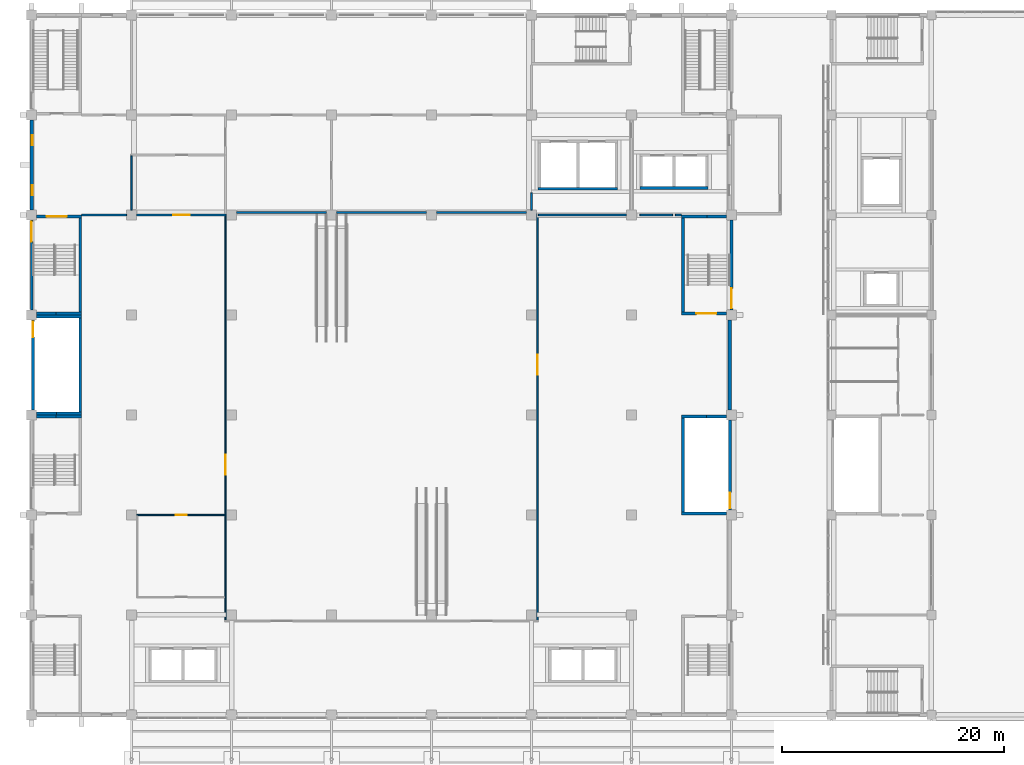
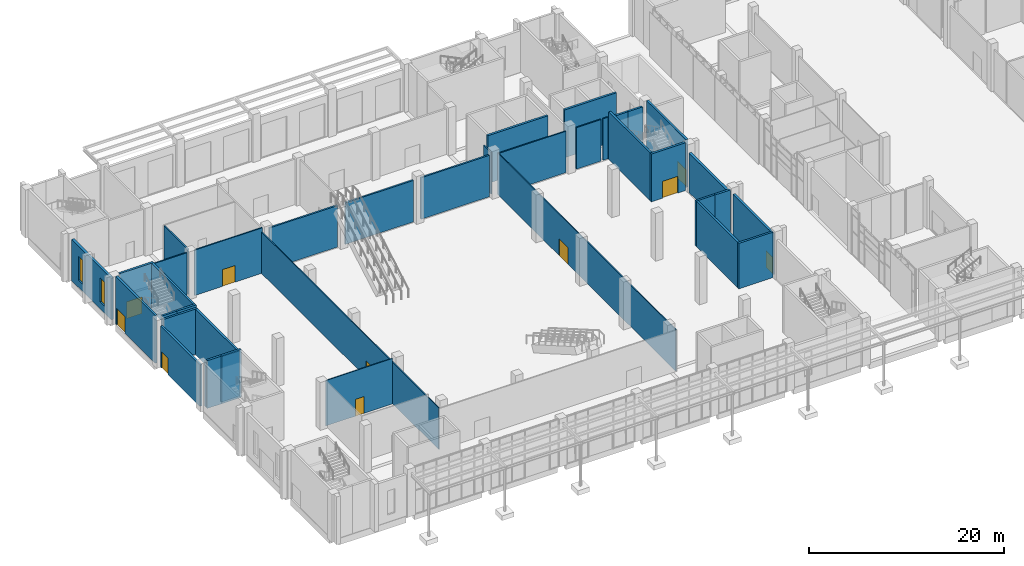
# One storey, part 53 of 86: 39 walls, 10 doors, 2 windows, 12 openings.
"""IFC4 building model written with IfcOpenShell, lengths in metres."""

from ifc_helpers import new_model, si_unit, direction, frame, frame_2d, origin, place, context, subcontext, project, spatial, rectangle, extrude, material, layer, layer_set, type_object, element, fill, save


model = new_model("IFC4")

# Units and contexts
model_context = context("Model", 3, precision=1e-05, world=origin(), true_north=direction((0.0, 1.0)))
body_context = subcontext(model_context, "Body", "Model", "MODEL_VIEW")
ifc_project = project(units=[si_unit("LENGTHUNIT", "METRE"), si_unit("AREAUNIT", "SQUARE_METRE"), si_unit("VOLUMEUNIT", "CUBIC_METRE"), si_unit("PLANEANGLEUNIT", "RADIAN"), si_unit("MASSUNIT", "GRAM", prefix="KILO")], contexts=[model_context])

# Site, building, storey
site_placement = place(None, origin())
site = spatial("IfcSite", under=ifc_project, at=site_placement, CompositionType="ELEMENT")
building_placement = place(site_placement, origin())
building = spatial("IfcBuilding", under=site, at=building_placement, Name="Guidao Yard Department Store", CompositionType="ELEMENT")
storey_placement = place(building_placement, origin())
storey = spatial("IfcBuildingStorey", under=building, at=storey_placement, Name="L00", CompositionType="ELEMENT", Elevation=0.0)

# Walls
ifc_material_1 = material(Name="Concrete block MU10", Category="concrete")
ifc_layer_1 = layer(ifc_material_1, 0.199951171875)
ifc_layer_set_1 = layer_set([ifc_layer_1], Name="Fire Wall P3 200 mm blockwork EI 120")
wall_type_1 = type_object("IfcWallType", Name="Fire Wall P3 200 mm blockwork EI 120", PredefinedType="PARTITIONING", material=ifc_layer_set_1)
for number, where, z_axis, x_axis, name in (
    (1, (18.449951171875, 90.22509765625, 0.0), (0.0, 0.0, 1.0), (1.0, 0.0, 0.0), "Wall W-HL00-013"),
    (2, (27.449951171875, 90.22509765625, 0.0), (0.0, 0.0, 1.0), (1.0, 0.0, 0.0), "Wall W-HL00-014"),
    (3, (36.449951171875, 90.22509765625, 0.0), (0.0, 0.0, 1.0), (1.0, 0.0, 0.0), "Wall W-HL00-015"),
):
    element("IfcWall", number, at=place(storey_placement, frame(where, z_axis=z_axis, x_axis=x_axis)), inside=storey, type_object=wall_type_1, Name=name, PredefinedType="PARTITIONING", context=body_context, shape_type="SweptSolid", body=[
        extrude(rectangle(XDim=8.10009765625, YDim=0.199951171875, at=frame_2d((4.050048828125, 0.0))), origin(), (0.0, 0.0, 1.0), 5.199951171875),
    ])

# Wall, opening, door
ifc_material_2 = material(Name="Fire-rated glazing in Steel Q235 frame", Category="steel")
ifc_layer_2 = layer(ifc_material_2, 0.1201171875)
ifc_layer_set_2 = layer_set([ifc_layer_2], Name="Fire-Glazed Screen P5 120 mm EI 60")
wall_type_2 = type_object("IfcWallType", Name="Fire-Glazed Screen P5 120 mm EI 60", PredefinedType="PARTITIONING", material=ifc_layer_set_2)
wall_1_placement = place(storey_placement, frame((17.449951171875, 53.510009765625, 0.0), z_axis=(0.0, 0.0, 1.0), x_axis=(0.0, 1.0, 0.0)))
wall_1 = element("IfcWall", 4, at=wall_1_placement, inside=storey, type_object=wall_type_2, Name="Wall W-HL00-002", PredefinedType="PARTITIONING", context=body_context, shape_type="SweptSolid", body=[
    extrude(rectangle(XDim=36.4150390625, YDim=0.1201171875, at=frame_2d((18.20751953125, 0.0))), origin(), (0.0, 0.0, 1.0), 5.199951171875),
])
opening_1_placement = place(wall_1_placement, frame((14.89013671875, 0.0, 0.0), z_axis=(0.0, 0.0, 1.0), x_axis=(-1.0, 0.0, 0.0)))
opening_1 = element("IfcOpeningElement", 5, at=opening_1_placement, cuts=wall_1, Name="Opening HL00-005", PredefinedType="OPENING", context=body_context, shape_type="SweptSolid", body=[
    extrude(rectangle(XDim=1.800048828125, YDim=2.10009765625, at=frame_2d((0.89990234375, 1.050048828125))), frame((0.0, 0.070068359375, 0.0), z_axis=(0.0, -1.0, 0.0), x_axis=(1.0, 0.0, 0.0)), (0.0, 0.0, 1.0), 0.14013671875),
])
ifc_material_3 = material(Name="Steel Q235", Category="steel")
door_type_1 = type_object("IfcDoorType", Name="Door FD6 double 1800 x 2100 FD90 self-closing", OperationType="DOUBLE_DOOR_SINGLE_SWING", PredefinedType="DOOR", material=ifc_material_3)
door_1_placement = place(opening_1_placement, origin())
door_1 = element("IfcDoor", 6, at=door_1_placement, inside=storey, type_object=door_type_1, Name="Door HL00-005", OperationType="DOUBLE_DOOR_SINGLE_SWING", OverallHeight=2.10009765625, OverallWidth=1.800048828125, PredefinedType="DOOR", context=body_context, shape_type="SweptSolid", body=[
    extrude(rectangle(XDim=1.800048828125, YDim=2.10009765625, at=frame_2d((0.89990234375, 1.050048828125))), frame((0.0, 0.02490234375, 0.0), z_axis=(0.0, -1.0, 0.0), x_axis=(1.0, 0.0, 0.0)), (0.0, 0.0, 1.0), 0.050048828125),
])
fill(opening_1, door_1)

wall_2_placement = place(storey_placement, frame((45.550048828125, 53.510009765625, 0.0), z_axis=(0.0, 0.0, 1.0), x_axis=(0.0, 1.0, 0.0)))
wall_2 = element("IfcWall", 7, at=wall_2_placement, inside=storey, type_object=wall_type_2, Name="Wall W-HL00-003", PredefinedType="PARTITIONING", context=body_context, shape_type="SweptSolid", body=[
    extrude(rectangle(XDim=36.614990234375, YDim=0.1201171875, at=frame_2d((18.3076171875, 0.0))), origin(), (0.0, 0.0, 1.0), 5.199951171875),
])
opening_2_placement = place(wall_2_placement, frame((22.090087890625, 0.0, 0.0)))
opening_2 = element("IfcOpeningElement", 8, at=opening_2_placement, cuts=wall_2, Name="Opening HL00-006", PredefinedType="OPENING", context=body_context, shape_type="SweptSolid", body=[
    extrude(rectangle(XDim=1.800048828125, YDim=2.10009765625, at=frame_2d((0.89990234375, 1.050048828125))), frame((0.0, 0.070068359375, 0.0), z_axis=(0.0, -1.0, 0.0), x_axis=(1.0, 0.0, 0.0)), (0.0, 0.0, 1.0), 0.14013671875),
])
door_2_placement = place(opening_2_placement, origin())
door_2 = element("IfcDoor", 9, at=door_2_placement, inside=storey, type_object=door_type_1, Name="Door HL00-006", OperationType="DOUBLE_DOOR_SINGLE_SWING", OverallHeight=2.10009765625, OverallWidth=1.800048828125, PredefinedType="DOOR", context=body_context, shape_type="SweptSolid", body=[
    extrude(rectangle(XDim=1.800048828125, YDim=2.10009765625, at=frame_2d((0.89990234375, 1.050048828125))), frame((0.0, 0.02490234375, 0.0), z_axis=(0.0, -1.0, 0.0), x_axis=(1.0, 0.0, 0.0)), (0.0, 0.0, 1.0), 0.050048828125),
])
fill(opening_2, door_2)

# Wall, openings, windows
ifc_material_4 = material(Name="Concrete C35", Category="concrete")
ifc_layer_3 = layer(ifc_material_4, 0.300048828125)
ifc_layer_set_3 = layer_set([ifc_layer_3], Name="Hall facade wall 300 C35")
wall_type_3 = type_object("IfcWallType", Name="Hall facade wall 300 C35", PredefinedType="SOLIDWALL", material=ifc_layer_set_3)
wall_3_placement = place(storey_placement, frame((0.0, 90.449951171875, 0.0), z_axis=(0.0, 0.0, 1.0), x_axis=(0.0, 1.0, 0.0)))
wall_3 = element("IfcWall", 10, at=wall_3_placement, inside=storey, type_object=wall_type_3, Name="Hall facade wall", PredefinedType="SOLIDWALL", context=body_context, shape_type="SweptSolid", body=[
    extrude(rectangle(XDim=8.10009765625, YDim=0.300048828125, at=frame_2d((4.050048828125, 0.0))), origin(), (0.0, 0.0, 1.0), 5.199951171875),
])
opening_3_placement = place(wall_3_placement, frame((1.35009765625, 0.0, 0.89990234375)))
opening_3 = element("IfcOpeningElement", 11, at=opening_3_placement, cuts=wall_3, Name="Opening WN-L00-E05", PredefinedType="OPENING", context=body_context, shape_type="SweptSolid", body=[
    extrude(rectangle(XDim=0.89990234375, YDim=3.0, at=frame_2d((0.449951171875, 1.5))), frame((0.0, 0.159912109375, 0.0), z_axis=(0.0, -1.0, 0.0), x_axis=(1.0, 0.0, 0.0)), (0.0, 0.0, 1.0), 0.320068359375),
])
opening_4_placement = place(wall_3_placement, frame((5.85009765625, 0.0, 0.89990234375)))
opening_4 = element("IfcOpeningElement", 12, at=opening_4_placement, cuts=wall_3, Name="Opening WN-L00-E06", PredefinedType="OPENING", context=body_context, shape_type="SweptSolid", body=[
    extrude(rectangle(XDim=0.89990234375, YDim=3.0, at=frame_2d((0.449951171875, 1.5))), frame((0.0, 0.159912109375, 0.0), z_axis=(0.0, -1.0, 0.0), x_axis=(1.0, 0.0, 0.0)), (0.0, 0.0, 1.0), 0.320068359375),
])
ifc_material_5 = material(Name="Laminated glass in aluminium frame", Category="aluminium")
window_type = type_object("IfcWindowType", Name="Slot window SL1 900 x 3000 fixed", PartitioningType="SINGLE_PANEL", PredefinedType="WINDOW", material=ifc_material_5)
window_1_placement = place(opening_3_placement, origin())
window_1 = element("IfcWindow", 13, at=window_1_placement, inside=storey, type_object=window_type, Name="Slot window", OverallHeight=3.0, OverallWidth=0.89990234375, PartitioningType="SINGLE_PANEL", PredefinedType="WINDOW", context=body_context, shape_type="SweptSolid", body=[
    extrude(rectangle(XDim=0.89990234375, YDim=3.0, at=frame_2d((0.449951171875, 1.5))), frame((0.0, -0.030029296875, 0.0), z_axis=(0.0, -1.0, 0.0), x_axis=(1.0, 0.0, 0.0)), (0.0, 0.0, 1.0), 0.06005859375),
])
fill(opening_3, window_1)
window_2_placement = place(opening_4_placement, origin())
window_2 = element("IfcWindow", 14, at=window_2_placement, inside=storey, type_object=window_type, Name="Slot window", OverallHeight=3.0, OverallWidth=0.89990234375, PartitioningType="SINGLE_PANEL", PredefinedType="WINDOW", context=body_context, shape_type="SweptSolid", body=[
    extrude(rectangle(XDim=0.89990234375, YDim=3.0, at=frame_2d((0.449951171875, 1.5))), frame((0.0, -0.030029296875, 0.0), z_axis=(0.0, -1.0, 0.0), x_axis=(1.0, 0.0, 0.0)), (0.0, 0.0, 1.0), 0.06005859375),
])
fill(opening_4, window_2)

# Wall
wall_4_placement = place(storey_placement, frame((62.85009765625, 80.550048828125, 0.0), z_axis=(0.0, 0.0, 1.0), x_axis=(0.0, -1.0, 0.0)))
element("IfcWall", 15, at=wall_4_placement, inside=storey, type_object=wall_type_3, Name="Hall facade wall", PredefinedType="SOLIDWALL", context=body_context, shape_type="SweptSolid", body=[
    extrude(rectangle(XDim=8.10009765625, YDim=0.300048828125, at=frame_2d((4.050048828125, 0.0))), origin(), (0.0, 0.0, 1.0), 4.949951171875),
])

# Wall, opening, door
ifc_material_6 = material(Name="Gypsum board on Steel Q235 studs", Category="steel")
ifc_layer_4 = layer(ifc_material_6, 0.10009765625)
ifc_layer_set_4 = layer_set([ifc_layer_4], Name="Partition P1 100 mm gypsum board EI 30")
wall_type_4 = type_object("IfcWallType", Name="Partition P1 100 mm gypsum board EI 30", PredefinedType="PARTITIONING", material=ifc_layer_set_4)
wall_5_placement = place(storey_placement, frame((9.449951171875, 63.0, 0.0), z_axis=(0.0, 0.0, 1.0), x_axis=(1.0, 0.0, 0.0)))
wall_5 = element("IfcWall", 16, at=wall_5_placement, inside=storey, type_object=wall_type_4, Name="Wall W-HL00-006", PredefinedType="PARTITIONING", context=body_context, shape_type="SweptSolid", body=[
    extrude(rectangle(XDim=7.93994140625, YDim=0.10009765625, at=frame_2d((3.969970703125, 0.0))), origin(), (0.0, 0.0, 1.0), 5.699951171875),
])
opening_5_placement = place(wall_5_placement, frame((4.52490234375, 0.0, 0.0), z_axis=(0.0, 0.0, 1.0), x_axis=(-1.0, 0.0, 0.0)))
opening_5 = element("IfcOpeningElement", 17, at=opening_5_placement, cuts=wall_5, Name="Opening HL00-004", PredefinedType="OPENING", context=body_context, shape_type="SweptSolid", body=[
    extrude(rectangle(XDim=1.0, YDim=2.10009765625, at=frame_2d((0.5, 1.050048828125))), frame((0.0, 0.06005859375, 0.0), z_axis=(0.0, -1.0, 0.0), x_axis=(1.0, 0.0, 0.0)), (0.0, 0.0, 1.0), 0.1201171875),
])
ifc_material_7 = material(Name="Timber door leaf", Category="wood")
door_type_2 = type_object("IfcDoorType", Name="Door D2 1000 x 2100", OperationType="SINGLE_SWING_LEFT", PredefinedType="DOOR", material=ifc_material_7)
door_3_placement = place(opening_5_placement, origin())
door_3 = element("IfcDoor", 18, at=door_3_placement, inside=storey, type_object=door_type_2, Name="Door HL00-004", OperationType="SINGLE_SWING_LEFT", OverallHeight=2.10009765625, OverallWidth=1.0, PredefinedType="DOOR", context=body_context, shape_type="SweptSolid", body=[
    extrude(rectangle(XDim=1.0, YDim=2.10009765625, at=frame_2d((0.5, 1.050048828125))), frame((0.0, 0.02490234375, 0.0), z_axis=(0.0, -1.0, 0.0), x_axis=(1.0, 0.0, 0.0)), (0.0, 0.0, 1.0), 0.050048828125),
])
fill(opening_5, door_3)

# Wall
ifc_material_8 = material(Name="Concrete block MU10", Category="concrete")
ifc_layer_5 = layer(ifc_material_8, 0.14990234375)
ifc_layer_set_5 = layer_set([ifc_layer_5], Name="Wall P2 150 mm blockwork EI 60")
wall_type_5 = type_object("IfcWallType", Name="Wall P2 150 mm blockwork EI 60", PredefinedType="PARTITIONING", material=ifc_layer_set_5)
wall_6_placement = place(storey_placement, frame((4.5, 90.0, 0.0), z_axis=(0.0, 0.0, 1.0), x_axis=(1.0, 0.0, 0.0)))
element("IfcWall", 19, at=wall_6_placement, inside=storey, type_object=wall_type_5, Name="Wall W-HL00-007", PredefinedType="PARTITIONING", context=body_context, shape_type="SweptSolid", body=[
    extrude(rectangle(XDim=4.050048828125, YDim=0.14990234375, at=frame_2d((2.02490234375, 0.0))), origin(), (0.0, 0.0, 1.0), 5.699951171875),
])

# Wall, opening, door
wall_7_placement = place(storey_placement, frame((9.449951171875, 90.0, 0.0), z_axis=(0.0, 0.0, 1.0), x_axis=(1.0, 0.0, 0.0)))
wall_7 = element("IfcWall", 20, at=wall_7_placement, inside=storey, type_object=wall_type_5, Name="Wall W-HL00-008", PredefinedType="PARTITIONING", context=body_context, shape_type="SweptSolid", body=[
    extrude(rectangle(XDim=8.06005859375, YDim=0.14990234375, at=frame_2d((4.030029296875, 0.0))), origin(), (0.0, 0.0, 1.0), 5.699951171875),
])
opening_6_placement = place(wall_7_placement, frame((3.300048828125, 0.0, 0.0)))
opening_6 = element("IfcOpeningElement", 21, at=opening_6_placement, cuts=wall_7, Name="Opening HL00-007", PredefinedType="OPENING", context=body_context, shape_type="SweptSolid", body=[
    extrude(rectangle(XDim=1.5, YDim=2.10009765625, at=frame_2d((0.75, 1.050048828125))), frame((0.0, 0.0849609375, 0.0), z_axis=(0.0, -1.0, 0.0), x_axis=(1.0, 0.0, 0.0)), (0.0, 0.0, 1.0), 0.169921875),
])
ifc_material_9 = material(Name="Steel Q235", Category="steel")
door_type_3 = type_object("IfcDoorType", Name="Door FD11 trolley double 1500 x 2100 FD60", OperationType="DOUBLE_DOOR_SINGLE_SWING", PredefinedType="DOOR", material=ifc_material_9)
door_4_placement = place(opening_6_placement, origin())
door_4 = element("IfcDoor", 22, at=door_4_placement, inside=storey, type_object=door_type_3, Name="Door HL00-007", OperationType="DOUBLE_DOOR_SINGLE_SWING", OverallHeight=2.10009765625, OverallWidth=1.5, PredefinedType="DOOR", context=body_context, shape_type="SweptSolid", body=[
    extrude(rectangle(XDim=1.5, YDim=2.10009765625, at=frame_2d((0.75, 1.050048828125))), frame((0.0, 0.02490234375, 0.0), z_axis=(0.0, -1.0, 0.0), x_axis=(1.0, 0.0, 0.0)), (0.0, 0.0, 1.0), 0.050048828125),
])
fill(opening_6, door_4)

# Walls
wall_8_placement = place(storey_placement, frame((45.610107421875, 90.0, 0.0), z_axis=(0.0, 0.0, 1.0), x_axis=(1.0, 0.0, 0.0)))
element("IfcWall", 23, at=wall_8_placement, inside=storey, type_object=wall_type_5, Name="Wall W-HL00-009", PredefinedType="PARTITIONING", context=body_context, shape_type="SweptSolid", body=[
    extrude(rectangle(XDim=7.93994140625, YDim=0.14990234375, at=frame_2d((3.969970703125, 0.0))), origin(), (0.0, 0.0, 1.0), 5.199951171875),
])
wall_9_placement = place(storey_placement, frame((54.75, 90.0, 0.0), z_axis=(0.0, 0.0, 1.0), x_axis=(1.0, 0.0, 0.0)))
element("IfcWall", 24, at=wall_9_placement, inside=storey, type_object=wall_type_5, Name="Wall W-HL00-010", PredefinedType="PARTITIONING", context=body_context, shape_type="SweptSolid", body=[
    extrude(rectangle(XDim=2.949951171875, YDim=0.14990234375, at=frame_2d((1.47509765625, 0.0))), origin(), (0.0, 0.0, 1.0), 5.199951171875),
])
wall_10_placement = place(storey_placement, frame((57.949951171875, 90.0, 0.0), z_axis=(0.0, 0.0, 1.0), x_axis=(1.0, 0.0, 0.0)))
element("IfcWall", 25, at=wall_10_placement, inside=storey, type_object=wall_type_5, Name="Wall W-HL00-011", PredefinedType="PARTITIONING", context=body_context, shape_type="SweptSolid", body=[
    extrude(rectangle(XDim=0.550048828125, YDim=0.14990234375, at=frame_2d((0.27490234375, 0.0))), origin(), (0.0, 0.0, 1.0), 5.199951171875),
])
wall_11_placement = place(storey_placement, frame((9.0, 90.449951171875, 0.0), z_axis=(0.0, 0.0, 1.0), x_axis=(0.0, 1.0, 0.0)))
element("IfcWall", 26, at=wall_11_placement, inside=storey, type_object=wall_type_5, Name="Wall W-HL00-016", PredefinedType="PARTITIONING", context=body_context, shape_type="SweptSolid", body=[
    extrude(rectangle(XDim=4.875, YDim=0.14990234375, at=frame_2d((2.4375, 0.0))), origin(), (0.0, 0.0, 1.0), 5.699951171875),
])
wall_12_placement = place(storey_placement, frame((45.0, 90.449951171875, 0.0), z_axis=(0.0, 0.0, 1.0), x_axis=(0.0, 1.0, 0.0)))
element("IfcWall", 27, at=wall_12_placement, inside=storey, type_object=wall_type_5, Name="Wall W-HL00-018", PredefinedType="PARTITIONING", context=body_context, shape_type="SweptSolid", body=[
    extrude(rectangle(XDim=1.550048828125, YDim=0.14990234375, at=frame_2d((0.77490234375, 0.0))), origin(), (0.0, 0.0, 1.0), 5.199951171875),
])
ifc_material_10 = material(Name="Concrete C40", Category="concrete")
ifc_layer_6 = layer(ifc_material_10, 0.25)
ifc_layer_set_6 = layer_set([ifc_layer_6], Name="Wall RC 250 C40 stair and shaft")
wall_type_6 = type_object("IfcWallType", Name="Wall RC 250 C40 stair and shaft", PredefinedType="SHEAR", material=ifc_layer_set_6)
wall_13_placement = place(storey_placement, frame((0.449951171875, 72.125, 0.0), z_axis=(0.0, 0.0, 1.0), x_axis=(1.0, 0.0, 0.0)))
element("IfcWall", 28, at=wall_13_placement, inside=storey, type_object=wall_type_6, Name="Stair wall BSH1", PredefinedType="SHEAR", context=body_context, shape_type="SweptSolid", body=[
    extrude(rectangle(XDim=1.800048828125, YDim=0.25, at=frame_2d((0.89990234375, 0.0))), origin(), (0.0, 0.0, 1.0), 5.699951171875),
])
wall_14_placement = place(storey_placement, frame((2.25, 72.125, 0.0), z_axis=(0.0, 0.0, 1.0), x_axis=(1.0, 0.0, 0.0)))
element("IfcWall", 29, at=wall_14_placement, inside=storey, type_object=wall_type_6, Name="Stair wall BSH1", PredefinedType="SHEAR", context=body_context, shape_type="SweptSolid", body=[
    extrude(rectangle(XDim=2.25, YDim=0.25, at=frame_2d((1.125, 0.0))), origin(), (0.0, 0.0, 1.0), 5.699951171875),
])
wall_15_placement = place(storey_placement, frame((0.449951171875, 80.875, 0.0), z_axis=(0.0, 0.0, 1.0), x_axis=(1.0, 0.0, 0.0)))
element("IfcWall", 30, at=wall_15_placement, inside=storey, type_object=wall_type_6, Name="Stair wall BSH1", PredefinedType="SHEAR", context=body_context, shape_type="SweptSolid", body=[
    extrude(rectangle(XDim=4.050048828125, YDim=0.25, at=frame_2d((2.02490234375, 0.0))), origin(), (0.0, 0.0, 1.0), 5.699951171875),
])

# Wall, opening, door
wall_16_placement = place(storey_placement, frame((0.125, 72.449951171875, 0.0), z_axis=(0.0, 0.0, 1.0), x_axis=(0.0, 1.0, 0.0)))
wall_16 = element("IfcWall", 31, at=wall_16_placement, inside=storey, type_object=wall_type_6, Name="Stair wall BSH1", PredefinedType="SHEAR", context=body_context, shape_type="SweptSolid", body=[
    extrude(rectangle(XDim=8.10009765625, YDim=0.25, at=frame_2d((4.050048828125, 0.0))), origin(), (0.0, 0.0, 1.0), 5.199951171875),
])
opening_7_placement = place(wall_16_placement, frame((6.550048828125, 0.0, 0.0)))
opening_7 = element("IfcOpeningElement", 32, at=opening_7_placement, cuts=wall_16, Name="Opening L00-802", PredefinedType="OPENING", context=body_context, shape_type="SweptSolid", body=[
    extrude(rectangle(XDim=1.39990234375, YDim=2.10009765625, at=frame_2d((0.699951171875, 1.050048828125))), frame((0.0, 0.135009765625, 0.0), z_axis=(0.0, -1.0, 0.0), x_axis=(1.0, 0.0, 0.0)), (0.0, 0.0, 1.0), 0.27001953125),
])
ifc_material_11 = material(Name="Steel Q235", Category="steel")
door_type_4 = type_object("IfcDoorType", Name="Door fire-resisting 1400 x 2100 FD60", OperationType="DOUBLE_DOOR_SINGLE_SWING", PredefinedType="DOOR", material=ifc_material_11)
door_5_placement = place(opening_7_placement, origin())
door_5 = element("IfcDoor", 33, at=door_5_placement, inside=storey, type_object=door_type_4, Name="Basement stair H1 door L00 discharge", OperationType="DOUBLE_DOOR_SINGLE_SWING", OverallHeight=2.10009765625, OverallWidth=1.39990234375, PredefinedType="DOOR", context=body_context, shape_type="SweptSolid", body=[
    extrude(rectangle(XDim=1.39990234375, YDim=2.10009765625, at=frame_2d((0.699951171875, 1.050048828125))), frame((0.0, 0.02490234375, 0.0), z_axis=(0.0, -1.0, 0.0), x_axis=(1.0, 0.0, 0.0)), (0.0, 0.0, 1.0), 0.050048828125),
])
fill(opening_7, door_5)

# Walls
wall_17_placement = place(storey_placement, frame((4.375, 72.25, 0.0), z_axis=(0.0, 0.0, 1.0), x_axis=(0.0, 1.0, 0.0)))
element("IfcWall", 34, at=wall_17_placement, inside=storey, type_object=wall_type_6, Name="Stair wall BSH1", PredefinedType="SHEAR", context=body_context, shape_type="SweptSolid", body=[
    extrude(rectangle(XDim=8.5, YDim=0.25, at=frame_2d((4.25, 0.0))), origin(), (0.0, 0.0, 1.0), 5.699951171875),
])
wall_18_placement = place(storey_placement, frame((58.5, 63.125, 0.0), z_axis=(0.0, 0.0, 1.0), x_axis=(1.0, 0.0, 0.0)))
element("IfcWall", 35, at=wall_18_placement, inside=storey, type_object=wall_type_6, Name="Stair wall BSH3", PredefinedType="SHEAR", context=body_context, shape_type="SweptSolid", body=[
    extrude(rectangle(XDim=4.050048828125, YDim=0.25, at=frame_2d((2.02490234375, 0.0))), origin(), (0.0, 0.0, 1.0), 5.699951171875),
])
wall_19_placement = place(storey_placement, frame((58.5, 71.875, 0.0), z_axis=(0.0, 0.0, 1.0), x_axis=(1.0, 0.0, 0.0)))
element("IfcWall", 36, at=wall_19_placement, inside=storey, type_object=wall_type_6, Name="Stair wall BSH3", PredefinedType="SHEAR", context=body_context, shape_type="SweptSolid", body=[
    extrude(rectangle(XDim=2.25, YDim=0.25, at=frame_2d((1.125, 0.0))), origin(), (0.0, 0.0, 1.0), 5.699951171875),
])
wall_20_placement = place(storey_placement, frame((60.75, 71.875, 0.0), z_axis=(0.0, 0.0, 1.0), x_axis=(1.0, 0.0, 0.0)))
element("IfcWall", 37, at=wall_20_placement, inside=storey, type_object=wall_type_6, Name="Stair wall BSH3", PredefinedType="SHEAR", context=body_context, shape_type="SweptSolid", body=[
    extrude(rectangle(XDim=1.800048828125, YDim=0.25, at=frame_2d((0.89990234375, 0.0))), origin(), (0.0, 0.0, 1.0), 5.699951171875),
])
wall_21_placement = place(storey_placement, frame((58.625, 63.25, 0.0), z_axis=(0.0, 0.0, 1.0), x_axis=(0.0, 1.0, 0.0)))
element("IfcWall", 38, at=wall_21_placement, inside=storey, type_object=wall_type_6, Name="Stair wall BSH3", PredefinedType="SHEAR", context=body_context, shape_type="SweptSolid", body=[
    extrude(rectangle(XDim=8.5, YDim=0.25, at=frame_2d((4.25, 0.0))), origin(), (0.0, 0.0, 1.0), 5.699951171875),
])

# Wall, opening, door
wall_22_placement = place(storey_placement, frame((62.875, 63.449951171875, 0.0), z_axis=(0.0, 0.0, 1.0), x_axis=(0.0, 1.0, 0.0)))
wall_22 = element("IfcWall", 39, at=wall_22_placement, inside=storey, type_object=wall_type_6, Name="Stair wall BSH3", PredefinedType="SHEAR", context=body_context, shape_type="SweptSolid", body=[
    extrude(rectangle(XDim=8.10009765625, YDim=0.25, at=frame_2d((4.050048828125, 0.0))), origin(), (0.0, 0.0, 1.0), 5.199951171875),
])
opening_8_placement = place(wall_22_placement, frame((1.5498046875, 0.0, 0.0), z_axis=(0.0, 0.0, 1.0), x_axis=(-1.0, 0.0, 0.0)))
opening_8 = element("IfcOpeningElement", 40, at=opening_8_placement, cuts=wall_22, Name="Opening L00-804", PredefinedType="OPENING", context=body_context, shape_type="SweptSolid", body=[
    extrude(rectangle(XDim=1.39990234375, YDim=2.10009765625, at=frame_2d((0.699951171875, 1.050048828125))), frame((0.0, 0.135009765625, 0.0), z_axis=(0.0, -1.0, 0.0), x_axis=(1.0, 0.0, 0.0)), (0.0, 0.0, 1.0), 0.27001953125),
])
door_6_placement = place(opening_8_placement, origin())
door_6 = element("IfcDoor", 41, at=door_6_placement, inside=storey, type_object=door_type_4, Name="Basement stair H3 door L00 discharge", OperationType="DOUBLE_DOOR_SINGLE_SWING", OverallHeight=2.10009765625, OverallWidth=1.39990234375, PredefinedType="DOOR", context=body_context, shape_type="SweptSolid", body=[
    extrude(rectangle(XDim=1.39990234375, YDim=2.10009765625, at=frame_2d((0.699951171875, 1.050048828125))), frame((0.0, 0.02490234375, 0.0), z_axis=(0.0, -1.0, 0.0), x_axis=(1.0, 0.0, 0.0)), (0.0, 0.0, 1.0), 0.050048828125),
])
fill(opening_8, door_6)

# Walls
wall_23_placement = place(storey_placement, frame((0.449951171875, 71.875, 0.0), z_axis=(0.0, 0.0, 1.0), x_axis=(1.0, 0.0, 0.0)))
element("IfcWall", 42, at=wall_23_placement, inside=storey, type_object=wall_type_6, Name="Stair wall SA1", PredefinedType="SHEAR", context=body_context, shape_type="SweptSolid", body=[
    extrude(rectangle(XDim=1.738037109375, YDim=0.25, at=frame_2d((0.869140625, 0.0))), origin(), (0.0, 0.0, 1.0), 6.0),
])
wall_24_placement = place(storey_placement, frame((2.18798828125, 71.875, 0.0), z_axis=(0.0, 0.0, 1.0), x_axis=(1.0, 0.0, 0.0)))
element("IfcWall", 43, at=wall_24_placement, inside=storey, type_object=wall_type_6, Name="Stair wall SA1", PredefinedType="SHEAR", context=body_context, shape_type="SweptSolid", body=[
    extrude(rectangle(XDim=2.31201171875, YDim=0.25, at=frame_2d((1.156005859375, 0.0))), origin(), (0.0, 0.0, 1.0), 6.0),
])
wall_25_placement = place(storey_placement, frame((0.449951171875, 81.125, 0.0), z_axis=(0.0, 0.0, 1.0), x_axis=(1.0, 0.0, 0.0)))
element("IfcWall", 44, at=wall_25_placement, inside=storey, type_object=wall_type_6, Name="Stair wall SA3", PredefinedType="SHEAR", context=body_context, shape_type="SweptSolid", body=[
    extrude(rectangle(XDim=1.738037109375, YDim=0.25, at=frame_2d((0.869140625, 0.0))), origin(), (0.0, 0.0, 1.0), 6.0),
])
wall_26_placement = place(storey_placement, frame((2.18798828125, 81.125, 0.0), z_axis=(0.0, 0.0, 1.0), x_axis=(1.0, 0.0, 0.0)))
element("IfcWall", 45, at=wall_26_placement, inside=storey, type_object=wall_type_6, Name="Stair wall SA3", PredefinedType="SHEAR", context=body_context, shape_type="SweptSolid", body=[
    extrude(rectangle(XDim=2.31201171875, YDim=0.25, at=frame_2d((1.156005859375, 0.0))), origin(), (0.0, 0.0, 1.0), 6.0),
])

# Wall, opening, door
wall_27_placement = place(storey_placement, frame((0.449951171875, 89.875, 0.0), z_axis=(0.0, 0.0, 1.0), x_axis=(1.0, 0.0, 0.0)))
wall_27 = element("IfcWall", 46, at=wall_27_placement, inside=storey, type_object=wall_type_6, Name="Stair wall SA3", PredefinedType="SHEAR", context=body_context, shape_type="SweptSolid", body=[
    extrude(rectangle(XDim=4.050048828125, YDim=0.25, at=frame_2d((2.02490234375, 0.0))), origin(), (0.0, 0.0, 1.0), 6.0),
])
opening_9_placement = place(wall_27_placement, frame((2.699951171875, 0.0, 0.0), z_axis=(0.0, 0.0, 1.0), x_axis=(-1.0, 0.0, 0.0)))
opening_9 = element("IfcOpeningElement", 47, at=opening_9_placement, cuts=wall_27, Name="Opening L00-812", PredefinedType="OPENING", context=body_context, shape_type="SweptSolid", body=[
    extrude(rectangle(XDim=1.800048828125, YDim=2.10009765625, at=frame_2d((0.89990234375, 1.050048828125))), frame((0.0, 0.135009765625, 0.0), z_axis=(0.0, -1.0, 0.0), x_axis=(1.0, 0.0, 0.0)), (0.0, 0.0, 1.0), 0.27001953125),
])
ifc_material_12 = material(Name="Steel Q235", Category="steel")
door_type_5 = type_object("IfcDoorType", Name="Door fire-resisting 1800 x 2100 FD60", OperationType="DOUBLE_DOOR_SINGLE_SWING", PredefinedType="DOOR", material=ifc_material_12)
door_7_placement = place(opening_9_placement, origin())
door_7 = element("IfcDoor", 48, at=door_7_placement, inside=storey, type_object=door_type_5, Name="Stair A3 door L00", OperationType="DOUBLE_DOOR_SINGLE_SWING", OverallHeight=2.10009765625, OverallWidth=1.800048828125, PredefinedType="DOOR", context=body_context, shape_type="SweptSolid", body=[
    extrude(rectangle(XDim=1.800048828125, YDim=2.10009765625, at=frame_2d((0.89990234375, 1.050048828125))), frame((0.0, 0.02490234375, 0.0), z_axis=(0.0, -1.0, 0.0), x_axis=(1.0, 0.0, 0.0)), (0.0, 0.0, 1.0), 0.050048828125),
])
fill(opening_9, door_7)

wall_28_placement = place(storey_placement, frame((0.0, 81.449951171875, 0.0), z_axis=(0.0, 0.0, 1.0), x_axis=(0.0, 1.0, 0.0)))
wall_28 = element("IfcWall", 49, at=wall_28_placement, inside=storey, type_object=wall_type_6, Name="Stair wall SA3", PredefinedType="SHEAR", context=body_context, shape_type="SweptSolid", body=[
    extrude(rectangle(XDim=8.10009765625, YDim=0.25, at=frame_2d((4.050048828125, 0.0))), origin(), (0.0, 0.0, 1.0), 6.0),
])
opening_10_placement = place(wall_28_placement, frame((6.14990234375, 0.0, 0.0)))
opening_10 = element("IfcOpeningElement", 50, at=opening_10_placement, cuts=wall_28, Name="Opening L00-813", PredefinedType="OPENING", context=body_context, shape_type="SweptSolid", body=[
    extrude(rectangle(XDim=1.800048828125, YDim=2.10009765625, at=frame_2d((0.89990234375, 1.050048828125))), frame((0.0, 0.135009765625, 0.0), z_axis=(0.0, -1.0, 0.0), x_axis=(1.0, 0.0, 0.0)), (0.0, 0.0, 1.0), 0.27001953125),
])
door_8_placement = place(opening_10_placement, origin())
door_8 = element("IfcDoor", 51, at=door_8_placement, inside=storey, type_object=door_type_5, Name="Stair A3 door L00 discharge", OperationType="DOUBLE_DOOR_SINGLE_SWING", OverallHeight=2.10009765625, OverallWidth=1.800048828125, PredefinedType="DOOR", context=body_context, shape_type="SweptSolid", body=[
    extrude(rectangle(XDim=1.800048828125, YDim=2.10009765625, at=frame_2d((0.89990234375, 1.050048828125))), frame((0.0, 0.02490234375, 0.0), z_axis=(0.0, -1.0, 0.0), x_axis=(1.0, 0.0, 0.0)), (0.0, 0.0, 1.0), 0.050048828125),
])
fill(opening_10, door_8)

# Wall
wall_29_placement = place(storey_placement, frame((4.375, 81.25, 0.0), z_axis=(0.0, 0.0, 1.0), x_axis=(0.0, 1.0, 0.0)))
element("IfcWall", 52, at=wall_29_placement, inside=storey, type_object=wall_type_6, Name="Stair wall SA3", PredefinedType="SHEAR", context=body_context, shape_type="SweptSolid", body=[
    extrude(rectangle(XDim=8.5, YDim=0.25, at=frame_2d((4.25, 0.0))), origin(), (0.0, 0.0, 1.0), 6.0),
])

# Wall, opening, door
wall_30_placement = place(storey_placement, frame((58.5, 81.125, 0.0), z_axis=(0.0, 0.0, 1.0), x_axis=(1.0, 0.0, 0.0)))
wall_30 = element("IfcWall", 53, at=wall_30_placement, inside=storey, type_object=wall_type_6, Name="Stair wall SA4", PredefinedType="SHEAR", context=body_context, shape_type="SweptSolid", body=[
    extrude(rectangle(XDim=4.050048828125, YDim=0.25, at=frame_2d((2.02490234375, 0.0))), origin(), (0.0, 0.0, 1.0), 6.0),
])
opening_11_placement = place(wall_30_placement, frame((1.35009765625, 0.0, 0.0)))
opening_11 = element("IfcOpeningElement", 54, at=opening_11_placement, cuts=wall_30, Name="Opening L00-814", PredefinedType="OPENING", context=body_context, shape_type="SweptSolid", body=[
    extrude(rectangle(XDim=1.800048828125, YDim=2.10009765625, at=frame_2d((0.89990234375, 1.050048828125))), frame((0.0, 0.135009765625, 0.0), z_axis=(0.0, -1.0, 0.0), x_axis=(1.0, 0.0, 0.0)), (0.0, 0.0, 1.0), 0.27001953125),
])
door_9_placement = place(opening_11_placement, origin())
door_9 = element("IfcDoor", 55, at=door_9_placement, inside=storey, type_object=door_type_5, Name="Stair A4 door L00", OperationType="DOUBLE_DOOR_SINGLE_SWING", OverallHeight=2.10009765625, OverallWidth=1.800048828125, PredefinedType="DOOR", context=body_context, shape_type="SweptSolid", body=[
    extrude(rectangle(XDim=1.800048828125, YDim=2.10009765625, at=frame_2d((0.89990234375, 1.050048828125))), frame((0.0, 0.02490234375, 0.0), z_axis=(0.0, -1.0, 0.0), x_axis=(1.0, 0.0, 0.0)), (0.0, 0.0, 1.0), 0.050048828125),
])
fill(opening_11, door_9)

# Walls
wall_31_placement = place(storey_placement, frame((58.5, 89.875, 0.0), z_axis=(0.0, 0.0, 1.0), x_axis=(1.0, 0.0, 0.0)))
element("IfcWall", 56, at=wall_31_placement, inside=storey, type_object=wall_type_6, Name="Stair wall SA4", PredefinedType="SHEAR", context=body_context, shape_type="SweptSolid", body=[
    extrude(rectangle(XDim=2.31201171875, YDim=0.25, at=frame_2d((1.156005859375, 0.0))), origin(), (0.0, 0.0, 1.0), 5.199951171875),
])
wall_32_placement = place(storey_placement, frame((60.81201171875, 89.875, 0.0), z_axis=(0.0, 0.0, 1.0), x_axis=(1.0, 0.0, 0.0)))
element("IfcWall", 57, at=wall_32_placement, inside=storey, type_object=wall_type_6, Name="Stair wall SA4", PredefinedType="SHEAR", context=body_context, shape_type="SweptSolid", body=[
    extrude(rectangle(XDim=1.738037109375, YDim=0.25, at=frame_2d((0.869140625, 0.0))), origin(), (0.0, 0.0, 1.0), 5.199951171875),
])
wall_33_placement = place(storey_placement, frame((58.625, 81.25, 0.0), z_axis=(0.0, 0.0, 1.0), x_axis=(0.0, 1.0, 0.0)))
element("IfcWall", 58, at=wall_33_placement, inside=storey, type_object=wall_type_6, Name="Stair wall SA4", PredefinedType="SHEAR", context=body_context, shape_type="SweptSolid", body=[
    extrude(rectangle(XDim=8.5, YDim=0.25, at=frame_2d((4.25, 0.0))), origin(), (0.0, 0.0, 1.0), 6.0),
])

# Wall, opening, door
wall_34_placement = place(storey_placement, frame((63.0, 81.449951171875, 0.0), z_axis=(0.0, 0.0, 1.0), x_axis=(0.0, 1.0, 0.0)))
wall_34 = element("IfcWall", 59, at=wall_34_placement, inside=storey, type_object=wall_type_6, Name="Stair wall SA4", PredefinedType="SHEAR", context=body_context, shape_type="SweptSolid", body=[
    extrude(rectangle(XDim=8.10009765625, YDim=0.25, at=frame_2d((4.050048828125, 0.0))), origin(), (0.0, 0.0, 1.0), 6.0),
])
opening_12_placement = place(wall_34_placement, frame((1.949951171875, 0.0, 0.0), z_axis=(0.0, 0.0, 1.0), x_axis=(-1.0, 0.0, 0.0)))
opening_12 = element("IfcOpeningElement", 60, at=opening_12_placement, cuts=wall_34, Name="Opening L00-815", PredefinedType="OPENING", context=body_context, shape_type="SweptSolid", body=[
    extrude(rectangle(XDim=1.800048828125, YDim=2.10009765625, at=frame_2d((0.89990234375, 1.050048828125))), frame((0.0, 0.135009765625, 0.0), z_axis=(0.0, -1.0, 0.0), x_axis=(1.0, 0.0, 0.0)), (0.0, 0.0, 1.0), 0.27001953125),
])
door_10_placement = place(opening_12_placement, origin())
door_10 = element("IfcDoor", 61, at=door_10_placement, inside=storey, type_object=door_type_5, Name="Stair A4 door L00 discharge", OperationType="DOUBLE_DOOR_SINGLE_SWING", OverallHeight=2.10009765625, OverallWidth=1.800048828125, PredefinedType="DOOR", context=body_context, shape_type="SweptSolid", body=[
    extrude(rectangle(XDim=1.800048828125, YDim=2.10009765625, at=frame_2d((0.89990234375, 1.050048828125))), frame((0.0, 0.02490234375, 0.0), z_axis=(0.0, -1.0, 0.0), x_axis=(1.0, 0.0, 0.0)), (0.0, 0.0, 1.0), 0.050048828125),
])
fill(opening_12, door_10)

# Walls
wall_35_placement = place(storey_placement, frame((45.60009765625, 92.375, 0.0), z_axis=(0.0, 0.0, 1.0), x_axis=(1.0, 0.0, 0.0)))
element("IfcWall", 62, at=wall_35_placement, inside=storey, type_object=wall_type_6, Name="Lift shaft wall HG1 to HG2", PredefinedType="SHEAR", context=body_context, shape_type="SweptSolid", body=[
    extrude(rectangle(XDim=7.14990234375, YDim=0.25, at=frame_2d((3.574951171875, 0.0))), origin(), (0.0, 0.0, 1.0), 6.0),
])
wall_36_placement = place(storey_placement, frame((54.75, 92.425048828125, 0.0), z_axis=(0.0, 0.0, 1.0), x_axis=(1.0, 0.0, 0.0)))
element("IfcWall", 63, at=wall_36_placement, inside=storey, type_object=wall_type_6, Name="Lift shaft wall HF1 to HF2", PredefinedType="SHEAR", context=body_context, shape_type="SweptSolid", body=[
    extrude(rectangle(XDim=6.14990234375, YDim=0.25, at=frame_2d((3.074951171875, 0.0))), origin(), (0.0, 0.0, 1.0), 6.0),
])

save(model, "model.ifc")
